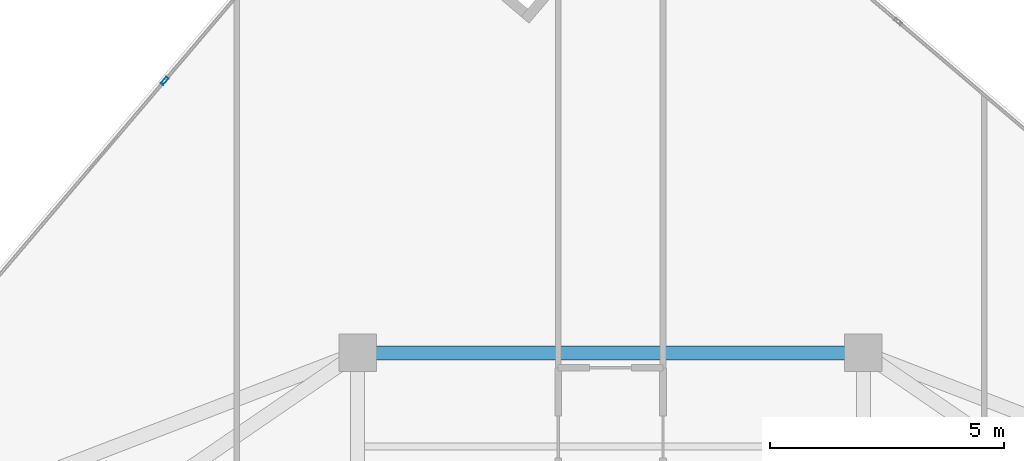
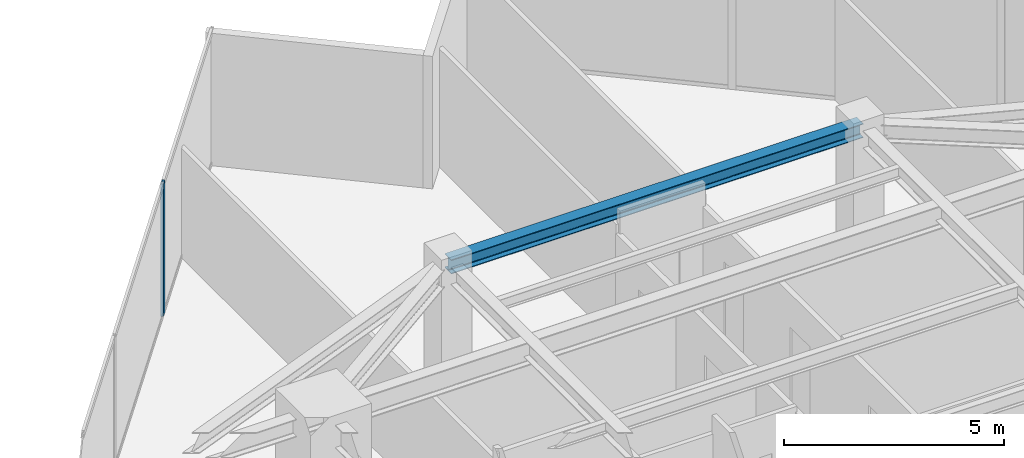
# One storey, part 17 of 25: 1 beam, 1 member, 1 element without a shape of its own.
"""IFC4 building model written with IfcOpenShell, lengths in metres."""

from ifc_helpers import new_model, si_unit, direction, frame, origin, origin_2d, place, context, subcontext, project, spatial, hollow_rectangle, i_section, extrude, source, transform, mapped, material, material_profile, profile_set, type_object, type_shapes, element, aggregate, save


model = new_model("IFC4")

# Units and contexts
model_context = context("Model", 3, precision=1e-05, world=origin(), true_north=direction((0.0, 1.0)))
body_context = subcontext(model_context, "Body", "Model", "MODEL_VIEW")
ifc_project = project(units=[si_unit("LENGTHUNIT", "METRE"), si_unit("AREAUNIT", "SQUARE_METRE"), si_unit("VOLUMEUNIT", "CUBIC_METRE"), si_unit("PLANEANGLEUNIT", "RADIAN"), si_unit("MASSUNIT", "GRAM", prefix="KILO")], contexts=[model_context])

# Site, building, storey
site_placement = place(None, origin())
site = spatial("IfcSite", under=ifc_project, at=site_placement, CompositionType="ELEMENT")
building_placement = place(site_placement, origin())
building = spatial("IfcBuilding", under=site, at=building_placement, Name="Krantzveldt Concourse Tower", CompositionType="ELEMENT")
storey_placement = place(building_placement, frame((0.0, 0.0, 215.199951171875)))
storey = spatial("IfcBuildingStorey", under=building, at=storey_placement, Name="L52", CompositionType="ELEMENT", Elevation=215.199951171875)

# Beam
ifc_material_1 = material(Name="Steel S355JR", Category="steel")
ifc_material_profile_1 = material_profile(ifc_material_1, i_section(OverallWidth=0.300048828125, OverallDepth=0.389892578125, WebThickness=0.010986328125, FlangeThickness=0.01904296875, FilletRadius=0.027099609375, at=origin_2d()), Name="Steel S355JR", Category="steel")
ifc_profile_set_1 = profile_set([ifc_material_profile_1], Name="Steel S355JR - HEA 400")
beam_type = type_object("IfcBeamType", Name="BM-SP-HEA400", PredefinedType="SPANDREL", material=ifc_profile_set_1)
shared_shape_1 = source(origin(), body_context, "Body", "SweptSolid", [
    extrude(i_section(OverallWidth=0.300048828125, OverallDepth=0.389892578125, WebThickness=0.010986328125, FlangeThickness=0.01904296875, FilletRadius=0.027099609375, at=origin_2d()), origin(), (0.0, 0.0, 1.0), 10.7998046875),
])
type_shapes(beam_type, [shared_shape_1])
beam_placement = place(storey_placement, frame((30.60009765625, 41.199951171875, 3.47509765625), z_axis=(1.0, 0.0, 0.0), x_axis=(0.0, 1.0, 0.0)))
element("IfcBeam", 1, at=beam_placement, inside=storey, type_object=beam_type, Name="L52 Tower Girder SP-R04", PredefinedType="SPANDREL", context=body_context, shape_type="MappedRepresentation", body=[
    mapped(shared_shape_1, transform((0.0, 0.0, 0.0), x_axis=(1.0, 0.0, 0.0), y_axis=(0.0, 1.0, 0.0), z_axis=(0.0, 0.0, 1.0), scale=1.0)),
])

# Curtain wall, member
ifc_material_2 = material(Name="Anodised aluminium 6063-T6", Category="aluminium")
curtain_wall_type = type_object("IfcCurtainWallType", Name="CW3", PredefinedType="USERDEFINED", material=ifc_material_2)
curtain_wall_placement = place(storey_placement, origin())
curtain_wall = element("IfcCurtainWall", 2, at=curtain_wall_placement, inside=storey, type_object=curtain_wall_type, Name="CW-L52-F01", ObjectType="UNITISED CURTAIN WALL", PredefinedType="USERDEFINED")
ifc_material_profile_2 = material_profile(ifc_material_2, hollow_rectangle(XDim=0.070068359375, YDim=0.179931640625, WallThickness=0.0048828125, at=origin_2d()), Name="Anodised aluminium 6063-T6", Category="aluminium")
ifc_profile_set_2 = profile_set([ifc_material_profile_2], Name="Anodised aluminium 6063-T6 - ALU-MULL 180x70x5")
member_type = type_object("IfcMemberType", Name="CW-MUL-180", PredefinedType="MULLION", material=ifc_profile_set_2)
shared_shape_2 = source(origin(), body_context, "Body", "SweptSolid", [
    extrude(hollow_rectangle(XDim=0.070068359375, YDim=0.179931640625, WallThickness=0.0048828125, at=origin_2d()), origin(), (0.0, 0.0, 1.0), 3.670166015625),
])
type_shapes(member_type, [shared_shape_2])
member_placement = place(storey_placement, frame((26.4755859375, 47.00634765625, 0.0), z_axis=(0.0, 0.0, 1.0), x_axis=(0.761820912327, -0.647787694805, 0.0)))
member = element("IfcMember", 3, at=member_placement, type_object=member_type, Name="CW-Z34 mullion 2", PredefinedType="MULLION", context=body_context, shape_type="MappedRepresentation", body=[
    mapped(shared_shape_2, transform((0.0, 0.0, 0.0), x_axis=(1.0, 0.0, 0.0), y_axis=(0.0, 1.0, 0.0), z_axis=(0.0, 0.0, 1.0), scale=1.0)),
])
aggregate(curtain_wall, [member])

save(model, "model.ifc")
